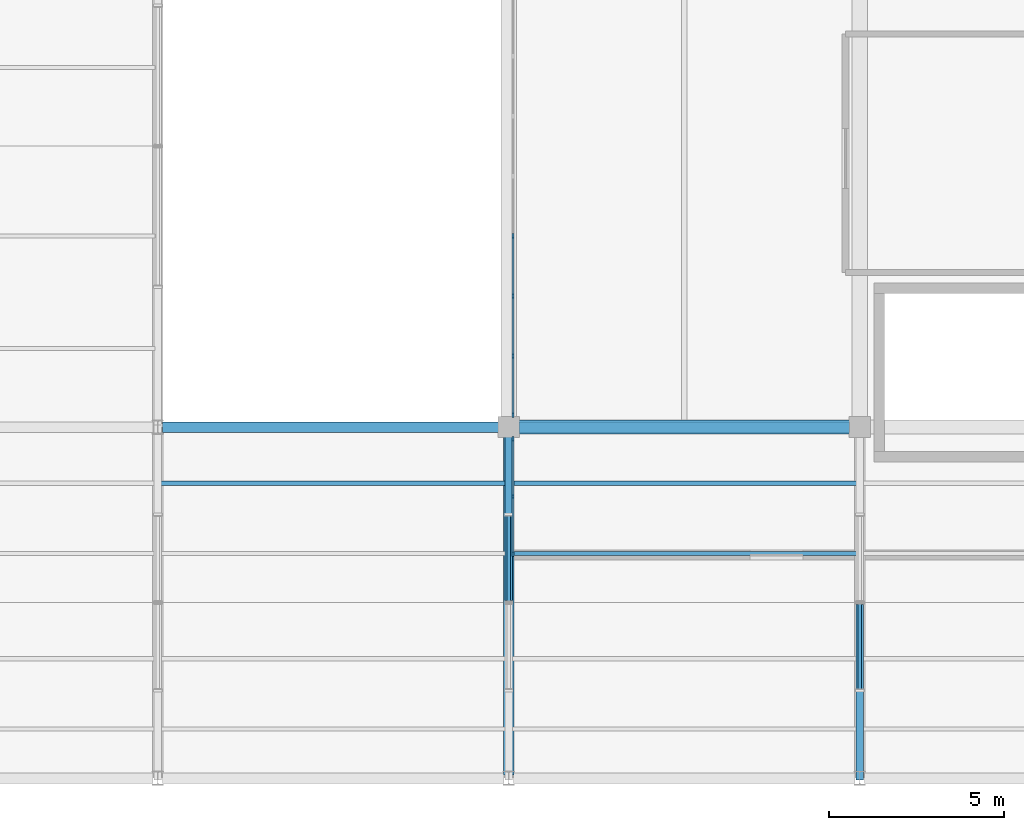
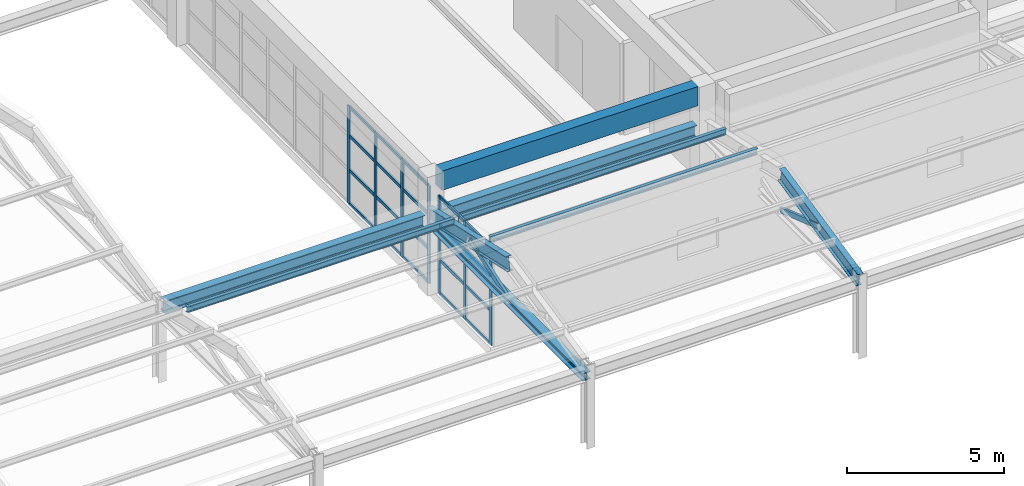
# One storey, part 15 of 109: 33 members, 5 beams, 2 elements without a shape of their own.
"""IFC4 building model written with IfcOpenShell, lengths in metres."""

from ifc_helpers import new_model, si_unit, direction, frame, origin, origin_2d, place, context, subcontext, project, spatial, rectangle, hollow_rectangle, i_section, extrude, material, layer, layer_set, material_profile, profile_set, type_object, element, aggregate, save


model = new_model("IFC4")

# Units and contexts
model_context = context("Model", 3, precision=1e-05, world=origin(), true_north=direction((0.0, 1.0)))
body_context = subcontext(model_context, "Body", "Model", "MODEL_VIEW")
ifc_project = project(units=[si_unit("LENGTHUNIT", "METRE"), si_unit("AREAUNIT", "SQUARE_METRE"), si_unit("VOLUMEUNIT", "CUBIC_METRE"), si_unit("PLANEANGLEUNIT", "RADIAN"), si_unit("MASSUNIT", "GRAM", prefix="KILO")], contexts=[model_context])

# Site, building, storey
site_placement = place(None, origin())
site = spatial("IfcSite", under=ifc_project, at=site_placement, CompositionType="ELEMENT")
building_placement = place(site_placement, origin())
building = spatial("IfcBuilding", under=site, at=building_placement, Name="Kivolera Central Railway Station", CompositionType="ELEMENT")
storey_placement = place(building_placement, frame((0.0, 0.0, 9.60009765625)))
storey = spatial("IfcBuildingStorey", under=building, at=storey_placement, Name="L02", CompositionType="ELEMENT", Elevation=9.60009765625)

# Beams
ifc_material_1 = material(Name="Concrete C40/50", Category="concrete")
ifc_material_profile_1 = material_profile(ifc_material_1, rectangle(XDim=0.39990234375, YDim=0.75, at=origin_2d()), Name="RC 400x750")
ifc_profile_set_1 = profile_set([ifc_material_profile_1], Name="Concrete C40/50")
beam_type_1 = type_object("IfcBeamType", Name="BM-RC-400x750", PredefinedType="BEAM", material=ifc_profile_set_1)
beam_1_placement = place(storey_placement, frame((48.287109375, 16.0, 4.224853515625), z_axis=(1.0, 0.0, 0.0), x_axis=(0.0, 1.0, 0.0)))
element("IfcBeam", 1, at=beam_1_placement, inside=storey, type_object=beam_type_1, Name="L02 Over-Track Bridge Transverse Girder B:5-6", PredefinedType="BEAM", context=body_context, shape_type="SweptSolid", body=[
    extrude(rectangle(XDim=0.39990234375, YDim=0.75, at=origin_2d()), origin(), (0.0, 0.0, 1.0), 9.42578125),
])
ifc_material_2 = material(Name="Steel S355", Category="steel")
ifc_material_profile_2 = material_profile(ifc_material_2, i_section(OverallWidth=0.300048828125, OverallDepth=0.489990234375, WebThickness=0.011962890625, FlangeThickness=0.02294921875, FilletRadius=0.027099609375, at=origin_2d()), Name="HEA 500")
ifc_profile_set_2 = profile_set([ifc_material_profile_2], Name="Steel S355")
beam_type_2 = type_object("IfcBeamType", Name="BM-SHD-HEA500", PredefinedType="BEAM", material=ifc_profile_set_2)
beam_2_placement = place(storey_placement, frame((38.136962890625, 16.0, 2.81982421875), z_axis=(1.0, 0.0, 0.0), x_axis=(0.0, 1.0, 0.0)))
element("IfcBeam", 2, at=beam_2_placement, inside=storey, type_object=beam_type_2, Name="Train Shed Eave Girder B:4-5", PredefinedType="BEAM", context=body_context, shape_type="SweptSolid", body=[
    extrude(i_section(OverallWidth=0.300048828125, OverallDepth=0.489990234375, WebThickness=0.011962890625, FlangeThickness=0.02294921875, FilletRadius=0.027099609375, at=origin_2d()), origin(), (0.0, 0.0, 1.0), 9.571044921875),
])
beam_3_placement = place(storey_placement, frame((48.2919921875, 16.0, 2.81982421875), z_axis=(1.0, 0.0, 0.0), x_axis=(0.0, 1.0, 0.0)))
element("IfcBeam", 3, at=beam_3_placement, inside=storey, type_object=beam_type_2, Name="Train Shed Eave Girder B:5-6", PredefinedType="BEAM", context=body_context, shape_type="SweptSolid", body=[
    extrude(i_section(OverallWidth=0.300048828125, OverallDepth=0.489990234375, WebThickness=0.011962890625, FlangeThickness=0.02294921875, FilletRadius=0.027099609375, at=origin_2d()), origin(), (0.0, 0.0, 1.0), 9.416015625),
])
ifc_material_profile_3 = material_profile(ifc_material_2, i_section(OverallWidth=0.209228515625, OverallDepth=0.533203125, WebThickness=0.010009765625, FlangeThickness=0.015625, FilletRadius=0.0126953125, at=origin_2d()), Name="UB 533x210x92")
ifc_profile_set_3 = profile_set([ifc_material_profile_3], Name="Steel S355")
beam_type_3 = type_object("IfcBeamType", Name="BM-SHD-UB533", PredefinedType="BEAM", material=ifc_profile_set_3)
for number, where, z_axis, x_axis, name in (
    (4, (48.0, 11.0, 4.02490234375), (0.0, 0.976640463768, -0.214879977038), (-1.0, 0.0, 0.0), "Train Shed Roof Truss Top Rafter AB-5N"),
    (5, (58.0, 6.0, 2.9248046875), (0.0, 0.976640463768, 0.214879977038), (-1.0, 0.0, 0.0), "Train Shed Roof Truss Top Rafter AB-6S"),
):
    element("IfcBeam", number, at=place(storey_placement, frame(where, z_axis=z_axis, x_axis=x_axis)), inside=storey, type_object=beam_type_3, Name=name, PredefinedType="BEAM", context=body_context, shape_type="SweptSolid", body=[
        extrude(i_section(OverallWidth=0.209228515625, OverallDepth=0.533203125, WebThickness=0.010009765625, FlangeThickness=0.015625, FilletRadius=0.0126953125, at=origin_2d()), origin(), (0.0, 0.0, 1.0), 5.11962890625),
    ])

# Curtain wall, members
ifc_material_3 = material(Name="Anodised aluminium", Category="aluminium")
ifc_layer_1 = layer(ifc_material_3, 0.179931640625, Name="Anodised aluminium")
ifc_layer_set_1 = layer_set([ifc_layer_1], Name="Anodised aluminium")
curtain_wall_type_1 = type_object("IfcCurtainWallType", Name="CW-SYS-17", PredefinedType="NOTDEFINED", material=ifc_layer_set_1)
curtain_wall_1_placement = place(storey_placement, origin())
curtain_wall_1 = element("IfcCurtainWall", 6, at=curtain_wall_1_placement, inside=storey, type_object=curtain_wall_type_1, Name="L02 Curtain Wall CW-L02-BRGW-1", PredefinedType="NOTDEFINED")
ifc_material_profile_4 = material_profile(ifc_material_3, rectangle(XDim=0.06005859375, YDim=0.14990234375, at=origin_2d()), Name="ALU MULL 60x150")
ifc_profile_set_4 = profile_set([ifc_material_profile_4], Name="Anodised aluminium")
member_type_1 = type_object("IfcMemberType", Name="CWM-MUL-2", PredefinedType="MULLION", material=ifc_profile_set_4)
member_1_placement = place(storey_placement, frame((48.1201171875, 12.3798828125, -0.005126953125), z_axis=(0.0, 0.0, 1.0), x_axis=(-1.0, 0.0, 0.0)))
member_1 = element("IfcMember", 7, at=member_1_placement, type_object=member_type_1, Name="CW-17 mullion 1", PredefinedType="MULLION", context=body_context, shape_type="SweptSolid", body=[
    extrude(rectangle(XDim=0.06005859375, YDim=0.14990234375, at=origin_2d()), origin(), (0.0, 0.0, 1.0), 3.804931640625),
])
member_2_placement = place(storey_placement, frame((48.1201171875, 14.02001953125, -0.005126953125), z_axis=(0.0, 0.0, 1.0), x_axis=(-1.0, 0.0, 0.0)))
member_2 = element("IfcMember", 8, at=member_2_placement, type_object=member_type_1, Name="CW-17 mullion 2", PredefinedType="MULLION", context=body_context, shape_type="SweptSolid", body=[
    extrude(rectangle(XDim=0.06005859375, YDim=0.14990234375, at=origin_2d()), origin(), (0.0, 0.0, 1.0), 3.804931640625),
])
member_3_placement = place(storey_placement, frame((48.1201171875, 15.659912109375, -0.005126953125), z_axis=(0.0, 0.0, 1.0), x_axis=(-1.0, 0.0, 0.0)))
member_3 = element("IfcMember", 9, at=member_3_placement, type_object=member_type_1, Name="CW-17 mullion 3", PredefinedType="MULLION", context=body_context, shape_type="SweptSolid", body=[
    extrude(rectangle(XDim=0.06005859375, YDim=0.14990234375, at=origin_2d()), origin(), (0.0, 0.0, 1.0), 3.804931640625),
])

ifc_layer_2 = layer(ifc_material_3, 0.179931640625, Name="Anodised aluminium")
ifc_layer_set_2 = layer_set([ifc_layer_2], Name="Anodised aluminium")
curtain_wall_type_2 = type_object("IfcCurtainWallType", Name="CW-SYS-18", PredefinedType="NOTDEFINED", material=ifc_layer_set_2)
curtain_wall_2_placement = place(storey_placement, origin())
curtain_wall_2 = element("IfcCurtainWall", 10, at=curtain_wall_2_placement, inside=storey, type_object=curtain_wall_type_2, Name="L02 Curtain Wall CW-L02-BRGW-2", PredefinedType="NOTDEFINED")
member_4_placement = place(storey_placement, frame((48.1201171875, 16.340087890625, -0.005126953125), z_axis=(0.0, 0.0, 1.0), x_axis=(-1.0, 0.0, 0.0)))
member_4 = element("IfcMember", 11, at=member_4_placement, type_object=member_type_1, Name="CW-18 mullion 1", PredefinedType="MULLION", context=body_context, shape_type="SweptSolid", body=[
    extrude(rectangle(XDim=0.06005859375, YDim=0.14990234375, at=origin_2d()), origin(), (0.0, 0.0, 1.0), 3.804931640625),
])
member_5_placement = place(storey_placement, frame((48.1201171875, 18.018798828125, -0.005126953125), z_axis=(0.0, 0.0, 1.0), x_axis=(-1.0, 0.0, 0.0)))
member_5 = element("IfcMember", 12, at=member_5_placement, type_object=member_type_1, Name="CW-18 mullion 2", PredefinedType="MULLION", context=body_context, shape_type="SweptSolid", body=[
    extrude(rectangle(XDim=0.06005859375, YDim=0.14990234375, at=origin_2d()), origin(), (0.0, 0.0, 1.0), 3.804931640625),
])
member_6_placement = place(storey_placement, frame((48.1201171875, 19.727783203125, -0.005126953125), z_axis=(0.0, 0.0, 1.0), x_axis=(-1.0, 0.0, 0.0)))
member_6 = element("IfcMember", 13, at=member_6_placement, type_object=member_type_1, Name="CW-18 mullion 3", PredefinedType="MULLION", context=body_context, shape_type="SweptSolid", body=[
    extrude(rectangle(XDim=0.06005859375, YDim=0.14990234375, at=origin_2d()), origin(), (0.0, 0.0, 1.0), 3.804931640625),
])
member_7_placement = place(storey_placement, frame((48.1201171875, 21.436767578125, -0.005126953125), z_axis=(0.0, 0.0, 1.0), x_axis=(-1.0, 0.0, 0.0)))
member_7 = element("IfcMember", 14, at=member_7_placement, type_object=member_type_1, Name="CW-18 mullion 4", PredefinedType="MULLION", context=body_context, shape_type="SweptSolid", body=[
    extrude(rectangle(XDim=0.06005859375, YDim=0.14990234375, at=origin_2d()), origin(), (0.0, 0.0, 1.0), 3.804931640625),
])

# Member
ifc_material_profile_5 = material_profile(ifc_material_3, rectangle(XDim=0.06005859375, YDim=0.1201171875, at=origin_2d()), Name="ALU TRAN 60x120")
ifc_profile_set_5 = profile_set([ifc_material_profile_5], Name="Anodised aluminium")
member_type_2 = type_object("IfcMemberType", Name="CWM-TRN-2", PredefinedType="USERDEFINED", material=ifc_profile_set_5)
member_8_placement = place(storey_placement, frame((48.1201171875, 12.409912109375, 0.02978515625), z_axis=(0.0, 1.0, 0.0), x_axis=(-1.0, 0.0, 0.0)))
member_8 = element("IfcMember", 15, at=member_8_placement, type_object=member_type_2, Name="CW-17 transom 1.1", ObjectType="TRANSOM", PredefinedType="USERDEFINED", context=body_context, shape_type="SweptSolid", body=[
    extrude(rectangle(XDim=0.06005859375, YDim=0.1201171875, at=origin_2d()), origin(), (0.0, 0.0, 1.0), 1.580078125),
])

member_9_placement = place(storey_placement, frame((48.1201171875, 12.409912109375, 1.329833984375), z_axis=(0.0, 1.0, 0.0), x_axis=(-1.0, 0.0, 0.0)))
member_9 = element("IfcMember", 16, at=member_9_placement, type_object=member_type_2, Name="CW-17 transom 1.2", ObjectType="TRANSOM", PredefinedType="USERDEFINED", context=body_context, shape_type="SweptSolid", body=[
    extrude(rectangle(XDim=0.06005859375, YDim=0.1201171875, at=origin_2d()), origin(), (0.0, 0.0, 1.0), 1.580078125),
])

member_10_placement = place(storey_placement, frame((48.1201171875, 12.409912109375, 2.659912109375), z_axis=(0.0, 1.0, 0.0), x_axis=(-1.0, 0.0, 0.0)))
member_10 = element("IfcMember", 17, at=member_10_placement, type_object=member_type_2, Name="CW-17 transom 1.3", ObjectType="TRANSOM", PredefinedType="USERDEFINED", context=body_context, shape_type="SweptSolid", body=[
    extrude(rectangle(XDim=0.06005859375, YDim=0.1201171875, at=origin_2d()), origin(), (0.0, 0.0, 1.0), 1.580078125),
])

member_11_placement = place(storey_placement, frame((48.1201171875, 12.409912109375, 3.77001953125), z_axis=(0.0, 1.0, 0.0), x_axis=(-1.0, 0.0, 0.0)))
member_11 = element("IfcMember", 18, at=member_11_placement, type_object=member_type_2, Name="CW-17 transom 1.4", ObjectType="TRANSOM", PredefinedType="USERDEFINED", context=body_context, shape_type="SweptSolid", body=[
    extrude(rectangle(XDim=0.06005859375, YDim=0.1201171875, at=origin_2d()), origin(), (0.0, 0.0, 1.0), 1.580078125),
])

member_12_placement = place(storey_placement, frame((48.1201171875, 14.050048828125, 0.02978515625), z_axis=(0.0, 1.0, 0.0), x_axis=(-1.0, 0.0, 0.0)))
member_12 = element("IfcMember", 19, at=member_12_placement, type_object=member_type_2, Name="CW-17 transom 2.1", ObjectType="TRANSOM", PredefinedType="USERDEFINED", context=body_context, shape_type="SweptSolid", body=[
    extrude(rectangle(XDim=0.06005859375, YDim=0.1201171875, at=origin_2d()), origin(), (0.0, 0.0, 1.0), 1.579833984375),
])

member_13_placement = place(storey_placement, frame((48.1201171875, 14.050048828125, 1.329833984375), z_axis=(0.0, 1.0, 0.0), x_axis=(-1.0, 0.0, 0.0)))
member_13 = element("IfcMember", 20, at=member_13_placement, type_object=member_type_2, Name="CW-17 transom 2.2", ObjectType="TRANSOM", PredefinedType="USERDEFINED", context=body_context, shape_type="SweptSolid", body=[
    extrude(rectangle(XDim=0.06005859375, YDim=0.1201171875, at=origin_2d()), origin(), (0.0, 0.0, 1.0), 1.579833984375),
])

member_14_placement = place(storey_placement, frame((48.1201171875, 14.050048828125, 2.659912109375), z_axis=(0.0, 1.0, 0.0), x_axis=(-1.0, 0.0, 0.0)))
member_14 = element("IfcMember", 21, at=member_14_placement, type_object=member_type_2, Name="CW-17 transom 2.3", ObjectType="TRANSOM", PredefinedType="USERDEFINED", context=body_context, shape_type="SweptSolid", body=[
    extrude(rectangle(XDim=0.06005859375, YDim=0.1201171875, at=origin_2d()), origin(), (0.0, 0.0, 1.0), 1.579833984375),
])

member_15_placement = place(storey_placement, frame((48.1201171875, 14.050048828125, 3.77001953125), z_axis=(0.0, 1.0, 0.0), x_axis=(-1.0, 0.0, 0.0)))
member_15 = element("IfcMember", 22, at=member_15_placement, type_object=member_type_2, Name="CW-17 transom 2.4", ObjectType="TRANSOM", PredefinedType="USERDEFINED", context=body_context, shape_type="SweptSolid", body=[
    extrude(rectangle(XDim=0.06005859375, YDim=0.1201171875, at=origin_2d()), origin(), (0.0, 0.0, 1.0), 1.579833984375),
])

aggregate(curtain_wall_1, [member_1, member_2, member_3, member_8, member_9, member_10, member_11, member_12, member_13, member_14, member_15])

member_16_placement = place(storey_placement, frame((48.1201171875, 16.3701171875, 0.02978515625), z_axis=(0.0, 1.0, 0.0), x_axis=(-1.0, 0.0, 0.0)))
member_16 = element("IfcMember", 23, at=member_16_placement, type_object=member_type_2, Name="CW-18 transom 1.1", ObjectType="TRANSOM", PredefinedType="USERDEFINED", context=body_context, shape_type="SweptSolid", body=[
    extrude(rectangle(XDim=0.06005859375, YDim=0.1201171875, at=origin_2d()), origin(), (0.0, 0.0, 1.0), 1.61865234375),
])

member_17_placement = place(storey_placement, frame((48.1201171875, 16.3701171875, 1.329833984375), z_axis=(0.0, 1.0, 0.0), x_axis=(-1.0, 0.0, 0.0)))
member_17 = element("IfcMember", 24, at=member_17_placement, type_object=member_type_2, Name="CW-18 transom 1.2", ObjectType="TRANSOM", PredefinedType="USERDEFINED", context=body_context, shape_type="SweptSolid", body=[
    extrude(rectangle(XDim=0.06005859375, YDim=0.1201171875, at=origin_2d()), origin(), (0.0, 0.0, 1.0), 1.61865234375),
])

member_18_placement = place(storey_placement, frame((48.1201171875, 16.3701171875, 2.659912109375), z_axis=(0.0, 1.0, 0.0), x_axis=(-1.0, 0.0, 0.0)))
member_18 = element("IfcMember", 25, at=member_18_placement, type_object=member_type_2, Name="CW-18 transom 1.3", ObjectType="TRANSOM", PredefinedType="USERDEFINED", context=body_context, shape_type="SweptSolid", body=[
    extrude(rectangle(XDim=0.06005859375, YDim=0.1201171875, at=origin_2d()), origin(), (0.0, 0.0, 1.0), 1.61865234375),
])

member_19_placement = place(storey_placement, frame((48.1201171875, 16.3701171875, 3.77001953125), z_axis=(0.0, 1.0, 0.0), x_axis=(-1.0, 0.0, 0.0)))
member_19 = element("IfcMember", 26, at=member_19_placement, type_object=member_type_2, Name="CW-18 transom 1.4", ObjectType="TRANSOM", PredefinedType="USERDEFINED", context=body_context, shape_type="SweptSolid", body=[
    extrude(rectangle(XDim=0.06005859375, YDim=0.1201171875, at=origin_2d()), origin(), (0.0, 0.0, 1.0), 1.61865234375),
])

member_20_placement = place(storey_placement, frame((48.1201171875, 18.048828125, 0.02978515625), z_axis=(0.0, 1.0, 0.0), x_axis=(-1.0, 0.0, 0.0)))
member_20 = element("IfcMember", 27, at=member_20_placement, type_object=member_type_2, Name="CW-18 transom 2.1", ObjectType="TRANSOM", PredefinedType="USERDEFINED", context=body_context, shape_type="SweptSolid", body=[
    extrude(rectangle(XDim=0.06005859375, YDim=0.1201171875, at=origin_2d()), origin(), (0.0, 0.0, 1.0), 1.64892578125),
])

member_21_placement = place(storey_placement, frame((48.1201171875, 18.048828125, 1.329833984375), z_axis=(0.0, 1.0, 0.0), x_axis=(-1.0, 0.0, 0.0)))
member_21 = element("IfcMember", 28, at=member_21_placement, type_object=member_type_2, Name="CW-18 transom 2.2", ObjectType="TRANSOM", PredefinedType="USERDEFINED", context=body_context, shape_type="SweptSolid", body=[
    extrude(rectangle(XDim=0.06005859375, YDim=0.1201171875, at=origin_2d()), origin(), (0.0, 0.0, 1.0), 1.64892578125),
])

member_22_placement = place(storey_placement, frame((48.1201171875, 18.048828125, 2.659912109375), z_axis=(0.0, 1.0, 0.0), x_axis=(-1.0, 0.0, 0.0)))
member_22 = element("IfcMember", 29, at=member_22_placement, type_object=member_type_2, Name="CW-18 transom 2.3", ObjectType="TRANSOM", PredefinedType="USERDEFINED", context=body_context, shape_type="SweptSolid", body=[
    extrude(rectangle(XDim=0.06005859375, YDim=0.1201171875, at=origin_2d()), origin(), (0.0, 0.0, 1.0), 1.64892578125),
])

member_23_placement = place(storey_placement, frame((48.1201171875, 18.048828125, 3.77001953125), z_axis=(0.0, 1.0, 0.0), x_axis=(-1.0, 0.0, 0.0)))
member_23 = element("IfcMember", 30, at=member_23_placement, type_object=member_type_2, Name="CW-18 transom 2.4", ObjectType="TRANSOM", PredefinedType="USERDEFINED", context=body_context, shape_type="SweptSolid", body=[
    extrude(rectangle(XDim=0.06005859375, YDim=0.1201171875, at=origin_2d()), origin(), (0.0, 0.0, 1.0), 1.64892578125),
])

member_24_placement = place(storey_placement, frame((48.1201171875, 19.7578125, 0.02978515625), z_axis=(0.0, 1.0, 0.0), x_axis=(-1.0, 0.0, 0.0)))
member_24 = element("IfcMember", 31, at=member_24_placement, type_object=member_type_2, Name="CW-18 transom 3.1", ObjectType="TRANSOM", PredefinedType="USERDEFINED", context=body_context, shape_type="SweptSolid", body=[
    extrude(rectangle(XDim=0.06005859375, YDim=0.1201171875, at=origin_2d()), origin(), (0.0, 0.0, 1.0), 1.64892578125),
])

member_25_placement = place(storey_placement, frame((48.1201171875, 19.7578125, 1.329833984375), z_axis=(0.0, 1.0, 0.0), x_axis=(-1.0, 0.0, 0.0)))
member_25 = element("IfcMember", 32, at=member_25_placement, type_object=member_type_2, Name="CW-18 transom 3.2", ObjectType="TRANSOM", PredefinedType="USERDEFINED", context=body_context, shape_type="SweptSolid", body=[
    extrude(rectangle(XDim=0.06005859375, YDim=0.1201171875, at=origin_2d()), origin(), (0.0, 0.0, 1.0), 1.64892578125),
])

member_26_placement = place(storey_placement, frame((48.1201171875, 19.7578125, 2.659912109375), z_axis=(0.0, 1.0, 0.0), x_axis=(-1.0, 0.0, 0.0)))
member_26 = element("IfcMember", 33, at=member_26_placement, type_object=member_type_2, Name="CW-18 transom 3.3", ObjectType="TRANSOM", PredefinedType="USERDEFINED", context=body_context, shape_type="SweptSolid", body=[
    extrude(rectangle(XDim=0.06005859375, YDim=0.1201171875, at=origin_2d()), origin(), (0.0, 0.0, 1.0), 1.64892578125),
])

member_27_placement = place(storey_placement, frame((48.1201171875, 19.7578125, 3.77001953125), z_axis=(0.0, 1.0, 0.0), x_axis=(-1.0, 0.0, 0.0)))
member_27 = element("IfcMember", 34, at=member_27_placement, type_object=member_type_2, Name="CW-18 transom 3.4", ObjectType="TRANSOM", PredefinedType="USERDEFINED", context=body_context, shape_type="SweptSolid", body=[
    extrude(rectangle(XDim=0.06005859375, YDim=0.1201171875, at=origin_2d()), origin(), (0.0, 0.0, 1.0), 1.64892578125),
])

aggregate(curtain_wall_2, [member_4, member_5, member_6, member_7, member_16, member_17, member_18, member_19, member_20, member_21, member_22, member_23, member_24, member_25, member_26, member_27])

# Members
ifc_material_profile_6 = material_profile(ifc_material_2, i_section(OverallWidth=0.300048828125, OverallDepth=0.300048828125, WebThickness=0.010986328125, FlangeThickness=0.01904296875, FilletRadius=0.027099609375, at=origin_2d()), Name="HEB 300")
ifc_profile_set_6 = profile_set([ifc_material_profile_6], Name="Steel S355")
member_type_3 = type_object("IfcMemberType", Name="MEM-CHD-HEB300", PredefinedType="CHORD", material=ifc_profile_set_6)
member_28_placement = place(storey_placement, frame((48.0, 6.080078125, 2.619873046875), z_axis=(0.0, 1.0, 0.0), x_axis=(-1.0, 0.0, 0.0)))
element("IfcMember", 35, at=member_28_placement, inside=storey, type_object=member_type_3, Name="Train Shed Roof Truss Bottom Tie Chord AB-5", PredefinedType="CHORD", context=body_context, shape_type="SweptSolid", body=[
    extrude(i_section(OverallWidth=0.300048828125, OverallDepth=0.300048828125, WebThickness=0.010986328125, FlangeThickness=0.01904296875, FilletRadius=0.027099609375, at=origin_2d()), origin(), (0.0, 0.0, 1.0), 9.83984375),
])
ifc_material_profile_7 = material_profile(ifc_material_2, i_section(OverallWidth=0.1201171875, OverallDepth=0.239990234375, WebThickness=0.006103515625, FlangeThickness=0.009765625, FilletRadius=0.014892578125, at=origin_2d()), Name="IPE 240")
ifc_profile_set_7 = profile_set([ifc_material_profile_7], Name="Steel S355")
member_type_4 = type_object("IfcMemberType", Name="MEM-PUR-IPE240", PredefinedType="PURLIN", material=ifc_profile_set_7)
for number, where, z_axis, x_axis, name in (
    (36, (38.080078125, 14.39990234375, 3.656982421875), (1.0, 0.0, 0.0), (0.0, 1.0, 0.0), "Train Shed Roof Purlin AB-04-N2"),
    (37, (48.080078125, 12.39990234375, 4.096923828125), (1.0, 0.0, 0.0), (0.0, 1.0, 0.0), "Train Shed Roof Purlin AB-05-N1"),
    (38, (48.080078125, 14.39990234375, 3.656982421875), (1.0, 0.0, 0.0), (0.0, 1.0, 0.0), "Train Shed Roof Purlin AB-05-N2"),
):
    element("IfcMember", number, at=place(storey_placement, frame(where, z_axis=z_axis, x_axis=x_axis)), inside=storey, type_object=member_type_4, Name=name, PredefinedType="PURLIN", context=body_context, shape_type="SweptSolid", body=[
        extrude(i_section(OverallWidth=0.1201171875, OverallDepth=0.239990234375, WebThickness=0.006103515625, FlangeThickness=0.009765625, FilletRadius=0.014892578125, at=origin_2d()), origin(), (0.0, 0.0, 1.0), 9.83984375),
    ])
ifc_material_profile_8 = material_profile(ifc_material_2, hollow_rectangle(XDim=0.10009765625, YDim=0.199951171875, WallThickness=0.010009765625, at=origin_2d()), Name="RHS 200x100x10")
ifc_profile_set_8 = profile_set([ifc_material_profile_8], Name="Steel S355")
member_type_5 = type_object("IfcMemberType", Name="MEM-STR-RHS200", PredefinedType="STRUT", material=ifc_profile_set_8)
for number, where, z_axis, x_axis, name in (
    (39, (48.0, 11.0, 2.619873046875), (0.0, 0.946196747594, 0.323591895515), (-1.0, 0.0, 0.0), "Train Shed Truss Web Strut AB-5-2"),
    (40, (58.0, 11.0, 2.619873046875), (0.0, -0.946196747594, 0.323591895515), (1.0, 0.0, 0.0), "Train Shed Truss Web Strut AB-6-1"),
):
    element("IfcMember", number, at=place(storey_placement, frame(where, z_axis=z_axis, x_axis=x_axis)), inside=storey, type_object=member_type_5, Name=name, PredefinedType="STRUT", context=body_context, shape_type="SweptSolid", body=[
        extrude(hollow_rectangle(XDim=0.10009765625, YDim=0.199951171875, WallThickness=0.010009765625, at=origin_2d()), origin(), (0.0, 0.0, 1.0), 2.64208984375),
    ])

save(model, "model.ifc")
